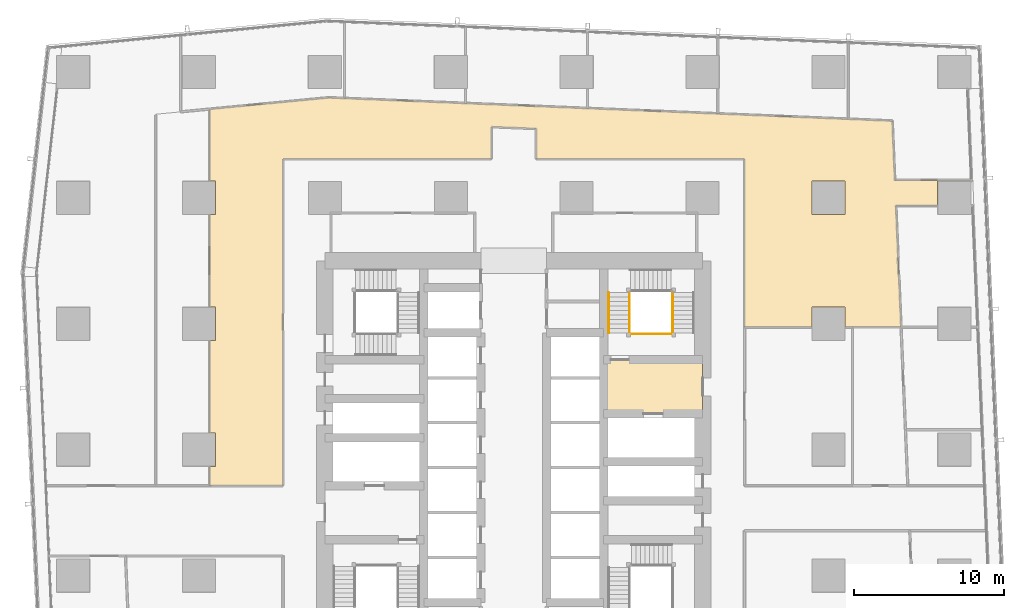
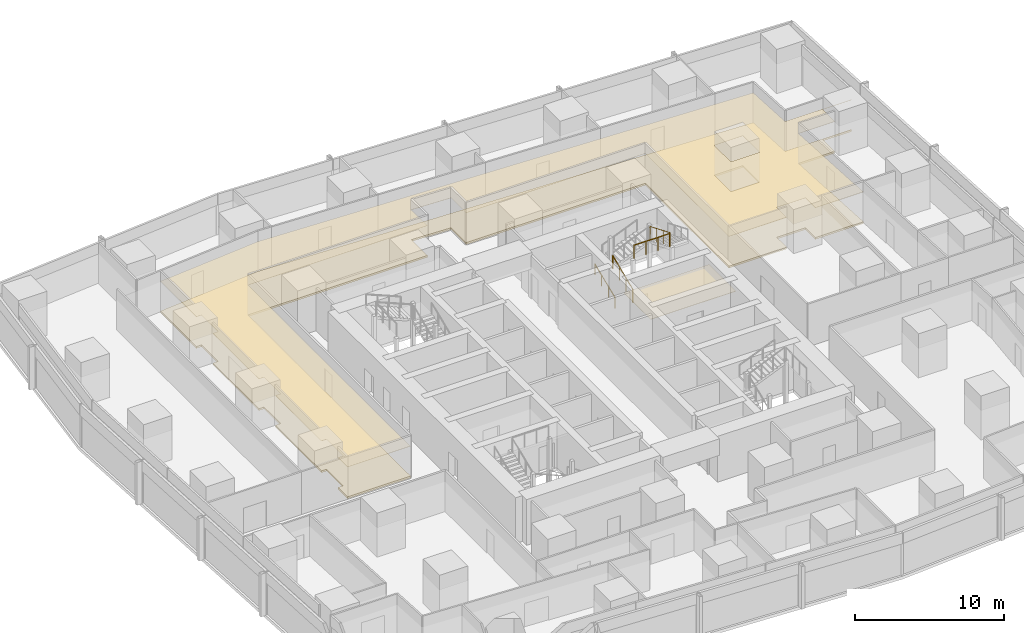
# One storey, part 42 of 44: 4 railings, 3 coverings.
"""IFC4 building model written with IfcOpenShell, lengths in metres."""

from ifc_helpers import new_model, si_unit, direction, frame, origin, origin_2d, place, context, subcontext, project, spatial, polyline, circle, outline, extrude, material, layer, layer_set, type_object, element, save


model = new_model("IFC4")

# Units and contexts
model_context = context("Model", 3, precision=1e-05, world=origin(), true_north=direction((0.0, 1.0)))
body_context = subcontext(model_context, "Body", "Model", "MODEL_VIEW")
ifc_project = project(units=[si_unit("LENGTHUNIT", "METRE"), si_unit("AREAUNIT", "SQUARE_METRE"), si_unit("VOLUMEUNIT", "CUBIC_METRE"), si_unit("PLANEANGLEUNIT", "RADIAN"), si_unit("MASSUNIT", "GRAM", prefix="KILO")], contexts=[model_context])

# Site, building, storey
site_placement = place(None, origin())
site = spatial("IfcSite", under=ifc_project, at=site_placement, CompositionType="ELEMENT")
building_placement = place(site_placement, origin())
building = spatial("IfcBuilding", under=site, at=building_placement, Name="Rekha Terrace Tower", CompositionType="ELEMENT")
storey_placement = place(building_placement, frame((0.0, 0.0, 59.14990234375)))
storey = spatial("IfcBuildingStorey", under=building, at=storey_placement, Name="L14", CompositionType="ELEMENT", Elevation=59.14990234375)

# Coverings
ifc_material_1 = material(Name="Mineral fibre tile in exposed grid", Category="finish")
ifc_layer_1 = layer(ifc_material_1, 0.02001953125)
ifc_layer_set_1 = layer_set([ifc_layer_1], Name="Mineral fibre tile in exposed grid")
covering_type_1 = type_object("IfcCoveringType", Name="CL1 600x1200 office grid ceiling", PredefinedType="CEILING", material=ifc_layer_set_1)
covering_1_placement = place(storey_placement, frame((0.0, 0.0, 2.580078125)))
element("IfcCovering", 1, at=covering_1_placement, inside=storey, type_object=covering_type_1, Name="Ceiling L14-O3", PredefinedType="CEILING", context=body_context, shape_type="SweptSolid", body=[
    extrude(outline(polyline([(34.5830078125, 56.714111328125), (26.509033203125, 57.047119140625), (25.466064453125, 57.090087890625), (17.51708984375, 56.325927734375), (17.51708984375, 51.514892578125), (17.9150390625, 51.514892578125), (17.9150390625, 49.284912109375), (17.51708984375, 49.284912109375), (17.51708984375, 43.114990234375), (17.9150390625, 43.114990234375), (17.9150390625, 40.885009765625), (17.51708984375, 40.885009765625), (17.51708984375, 34.715087890625), (17.9150390625, 34.715087890625), (17.9150390625, 32.485107421875), (17.51708984375, 32.485107421875), (17.51708984375, 31.199951171875), (22.39990234375, 31.199951171875), (22.39990234375, 53.0), (36.300048828125, 53.0), (36.300048828125, 55.14208984375), (39.300048828125, 55.01806640625), (39.300048828125, 53.0), (53.199951171875, 53.0), (53.199951171875, 41.781982421875), (57.68505859375, 41.781982421875), (57.68505859375, 43.114990234375), (59.9150390625, 43.114990234375), (59.9150390625, 41.781982421875), (63.638916015625, 41.781982421875), (63.29296875, 49.87890625), (66.0849609375, 49.87890625), (66.0849609375, 51.514892578125), (68.327880859375, 51.514892578125), (68.325927734375, 51.556884765625), (63.220947265625, 51.556884765625), (63.051025390625, 55.5400390625), (60.111083984375, 55.662109375), (51.4150390625, 56.02001953125), (42.718017578125, 56.37890625), (34.5830078125, 56.714111328125)]), holes=[polyline([(59.9150390625, 49.284912109375), (57.68505859375, 49.284912109375), (57.68505859375, 51.514892578125), (59.9150390625, 51.514892578125), (59.9150390625, 49.284912109375)])]), origin(), (0.0, 0.0, 1.0), 0.02001953125),
])
ifc_material_2 = material(Name="Powder-coated aluminium pan", Category="aluminium")
ifc_layer_2 = layer(ifc_material_2, 0.030029296875)
ifc_layer_set_2 = layer_set([ifc_layer_2], Name="Powder-coated aluminium pan")
covering_type_2 = type_object("IfcCoveringType", Name="CL3 300x1200 metal pan ceiling", PredefinedType="CEILING", material=ifc_layer_set_2)
covering_2_placement = place(storey_placement, frame((0.0, 0.0, 2.570068359375)))
element("IfcCovering", 2, at=covering_2_placement, inside=storey, type_object=covering_type_2, Name="Ceiling L14-FLB2", PredefinedType="CEILING", context=body_context, shape_type="SweptSolid", body=[
    extrude(outline(polyline([(50.39990234375, 39.60009765625), (43.800048828125, 39.60009765625), (43.800048828125, 36.0), (50.39990234375, 36.0), (50.39990234375, 39.60009765625)])), origin(), (0.0, 0.0, 1.0), 0.030029296875),
])

# Railings
ifc_material_3 = material(Name="Stainless steel balustrade", Category="steel")
railing_type_1 = type_object("IfcRailingType", Name="GR1 1100 stair guard", PredefinedType="GUARDRAIL", material=ifc_material_3)
railing_1_placement = place(storey_placement, frame((45.514892578125, 41.375, 0.125)))
element("IfcRailing", 3, at=railing_1_placement, inside=storey, type_object=railing_type_1, Name="Guard ST2 L14 flight 1", PredefinedType="GUARDRAIL", context=body_context, shape_type="SweptSolid", body=[
    extrude(circle(Radius=0.02392578125, at=origin_2d()), frame((0.0, 0.0, 1.076171875), z_axis=(0.0, 0.923074453586, 0.384621311341), x_axis=(-1.0, 0.0, 0.0)), (0.0, 0.0, 1.0), 2.925048828125),
    extrude(circle(Radius=0.02099609375, at=origin_2d()), origin(), (0.0, 0.0, 1.0), 1.052001953125),
    extrude(circle(Radius=0.02099609375, at=origin_2d()), frame((0.0, 0.89990234375, 0.375)), (0.0, 0.0, 1.0), 1.052001953125),
    extrude(circle(Radius=0.02099609375, at=origin_2d()), frame((0.0, 1.800048828125, 0.75)), (0.0, 0.0, 1.0), 1.052001953125),
    extrude(circle(Radius=0.02099609375, at=origin_2d()), frame((0.0, 2.699951171875, 1.125)), (0.0, 0.0, 1.0), 1.052001953125),
])
railing_2_placement = place(storey_placement, frame((48.409912109375, 44.074951171875, 2.625)))
element("IfcRailing", 4, at=railing_2_placement, inside=storey, type_object=railing_type_1, Name="Guard ST2 L14 flight 3", PredefinedType="GUARDRAIL", context=body_context, shape_type="SweptSolid", body=[
    extrude(circle(Radius=0.02392578125, at=origin_2d()), frame((0.0, 0.0, 1.076171875), z_axis=(0.0, -0.923074453586, 0.384621311341), x_axis=(1.0, 0.0, 0.0)), (0.0, 0.0, 1.0), 2.925048828125),
    extrude(circle(Radius=0.02099609375, at=origin_2d()), origin(), (0.0, 0.0, 1.0), 1.052001953125),
    extrude(circle(Radius=0.02099609375, at=origin_2d()), frame((0.0, -0.89990234375, 0.375)), (0.0, 0.0, 1.0), 1.052001953125),
    extrude(circle(Radius=0.02099609375, at=origin_2d()), frame((0.0, -1.800048828125, 0.75)), (0.0, 0.0, 1.0), 1.052001953125),
    extrude(circle(Radius=0.02099609375, at=origin_2d()), frame((0.0, -2.699951171875, 1.125)), (0.0, 0.0, 1.0), 1.052001953125),
])
railing_3_placement = place(storey_placement, frame((45.574951171875, 41.31494140625, 3.75)))
element("IfcRailing", 5, at=railing_3_placement, inside=storey, type_object=railing_type_1, Name="Guard ST2 L14 landing 4", PredefinedType="GUARDRAIL", context=body_context, shape_type="SweptSolid", body=[
    extrude(circle(Radius=0.02392578125, at=origin_2d()), frame((0.0, 0.0, 1.076171875), z_axis=(1.0, 0.0, 0.0), x_axis=(0.0, 1.0, 0.0)), (0.0, 0.0, 1.0), 2.775146484375),
    extrude(circle(Radius=0.02099609375, at=origin_2d()), origin(), (0.0, 0.0, 1.0), 1.052001953125),
    extrude(circle(Radius=0.02099609375, at=origin_2d()), frame((0.925048828125, 0.0, 0.0)), (0.0, 0.0, 1.0), 1.052001953125),
    extrude(circle(Radius=0.02099609375, at=origin_2d()), frame((1.85009765625, 0.0, 0.0)), (0.0, 0.0, 1.0), 1.052001953125),
    extrude(circle(Radius=0.02099609375, at=origin_2d()), frame((2.775146484375, 0.0, 0.0)), (0.0, 0.0, 1.0), 1.052001953125),
])
ifc_material_4 = material(Name="Stainless steel tube", Category="steel")
railing_type_2 = type_object("IfcRailingType", Name="HR1 900 stair handrail", PredefinedType="HANDRAIL", material=ifc_material_4)
railing_4_placement = place(storey_placement, frame((44.135009765625, 41.375, 0.125)))
element("IfcRailing", 6, at=railing_4_placement, inside=storey, type_object=railing_type_2, Name="Handrail ST2 L14 flight 1", PredefinedType="HANDRAIL", context=body_context, shape_type="SweptSolid", body=[
    extrude(circle(Radius=0.02392578125, at=origin_2d()), frame((0.0, 0.0, 0.8759765625), z_axis=(0.0, 0.923074453586, 0.384621311341), x_axis=(-1.0, 0.0, 0.0)), (0.0, 0.0, 1.0), 2.925048828125),
    extrude(circle(Radius=0.02099609375, at=origin_2d()), origin(), (0.0, 0.0, 1.0), 0.851806640625),
    extrude(circle(Radius=0.02099609375, at=origin_2d()), frame((0.0, 0.89990234375, 0.375)), (0.0, 0.0, 1.0), 0.851806640625),
    extrude(circle(Radius=0.02099609375, at=origin_2d()), frame((0.0, 1.800048828125, 0.75)), (0.0, 0.0, 1.0), 0.851806640625),
    extrude(circle(Radius=0.02099609375, at=origin_2d()), frame((0.0, 2.699951171875, 1.125)), (0.0, 0.0, 1.0), 0.851806640625),
])

# Covering
ifc_material_5 = material(Name="Calcium sulphate panels on steel pedestals", Category="steel")
ifc_layer_3 = layer(ifc_material_5, 0.14990234375)
ifc_layer_set_3 = layer_set([ifc_layer_3], Name="Calcium sulphate panels on steel pedestals")
covering_type_3 = type_object("IfcCoveringType", Name="RF1 150 raised access floor", PredefinedType="FLOORING", material=ifc_layer_set_3)
covering_3_placement = place(storey_placement, origin())
element("IfcCovering", 7, at=covering_3_placement, inside=storey, type_object=covering_type_3, Name="Raised floor L14-O3", PredefinedType="FLOORING", context=body_context, shape_type="SweptSolid", body=[
    extrude(outline(polyline([(34.5830078125, 56.714111328125), (26.509033203125, 57.047119140625), (25.466064453125, 57.090087890625), (17.51708984375, 56.325927734375), (17.51708984375, 51.514892578125), (17.9150390625, 51.514892578125), (17.9150390625, 49.284912109375), (17.51708984375, 49.284912109375), (17.51708984375, 43.114990234375), (17.9150390625, 43.114990234375), (17.9150390625, 40.885009765625), (17.51708984375, 40.885009765625), (17.51708984375, 34.715087890625), (17.9150390625, 34.715087890625), (17.9150390625, 32.485107421875), (17.51708984375, 32.485107421875), (17.51708984375, 31.199951171875), (22.39990234375, 31.199951171875), (22.39990234375, 53.0), (36.300048828125, 53.0), (36.300048828125, 55.14208984375), (39.300048828125, 55.01806640625), (39.300048828125, 53.0), (53.199951171875, 53.0), (53.199951171875, 41.781982421875), (57.68505859375, 41.781982421875), (57.68505859375, 43.114990234375), (59.9150390625, 43.114990234375), (59.9150390625, 41.781982421875), (63.638916015625, 41.781982421875), (63.29296875, 49.87890625), (66.0849609375, 49.87890625), (66.0849609375, 51.514892578125), (68.327880859375, 51.514892578125), (68.325927734375, 51.556884765625), (63.220947265625, 51.556884765625), (63.051025390625, 55.5400390625), (60.111083984375, 55.662109375), (51.4150390625, 56.02001953125), (42.718017578125, 56.37890625), (34.5830078125, 56.714111328125)]), holes=[polyline([(59.9150390625, 49.284912109375), (57.68505859375, 49.284912109375), (57.68505859375, 51.514892578125), (59.9150390625, 51.514892578125), (59.9150390625, 49.284912109375)])]), origin(), (0.0, 0.0, 1.0), 0.150146484375),
])

save(model, "model.ifc")
